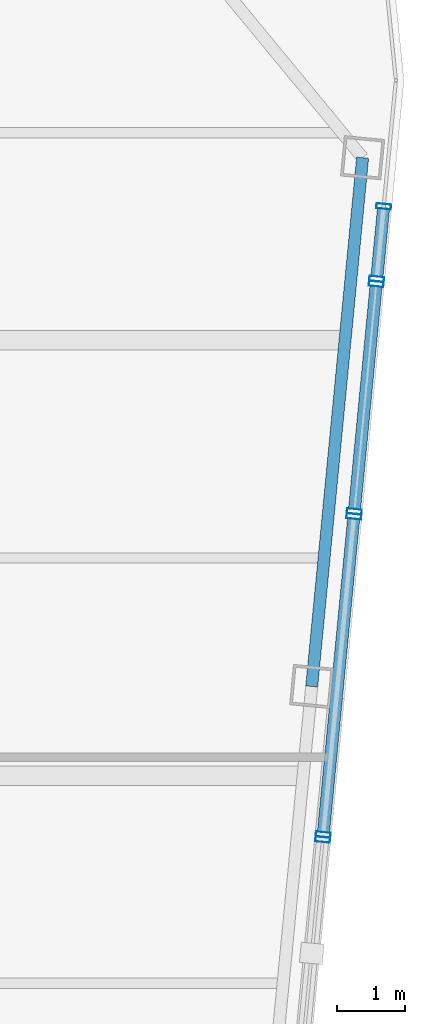
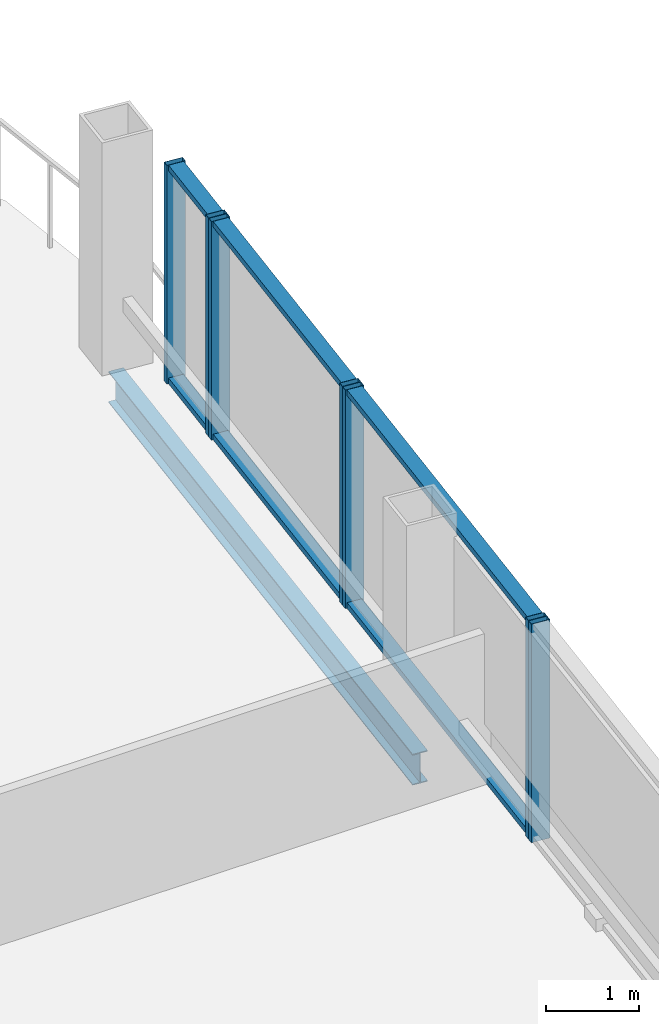
# One storey, part 15 of 27: 13 members, 1 beam, 4 elements without a shape of their own.
"""IFC4 building model written with IfcOpenShell, lengths in metres."""

from ifc_helpers import new_model, si_unit, direction, frame, origin, origin_2d, place, context, subcontext, project, spatial, hollow_rectangle, i_section, extrude, material, layer, layer_set, material_profile, profile_set, type_object, element, aggregate, save


model = new_model("IFC4")

# Units and contexts
model_context = context("Model", 3, precision=1e-05, world=origin(), true_north=direction((0.0, 1.0)))
body_context = subcontext(model_context, "Body", "Model", "MODEL_VIEW")
ifc_project = project(units=[si_unit("LENGTHUNIT", "METRE"), si_unit("AREAUNIT", "SQUARE_METRE"), si_unit("VOLUMEUNIT", "CUBIC_METRE"), si_unit("PLANEANGLEUNIT", "RADIAN"), si_unit("MASSUNIT", "GRAM", prefix="KILO")], contexts=[model_context])

# Site, building, storey
site_placement = place(None, origin())
site = spatial("IfcSite", under=ifc_project, at=site_placement, CompositionType="ELEMENT")
building_placement = place(site_placement, origin())
building = spatial("IfcBuilding", under=site, at=building_placement, Name="Qhalaya Broadcast Tower", CompositionType="ELEMENT")
storey_placement = place(building_placement, frame((0.0, 0.0, 258.10009765625)))
storey = spatial("IfcBuildingStorey", under=building, at=storey_placement, Name="L76", CompositionType="ELEMENT", Elevation=258.10009765625)

# Curtain wall, member
ifc_material_1 = material(Name="Solar-Control Low-E Triple Glazing", Category="glass")
ifc_layer_1 = layer(ifc_material_1, 0.219970703125, Name="Solar-Control Low-E Triple Glazing")
ifc_layer_set_1 = layer_set([ifc_layer_1], Name="Solar-Control Low-E Triple Glazing")
curtain_wall_type_1 = type_object("IfcCurtainWallType", Name="High-Altitude Upper-Shaft Triple Low-E Curtain Wall CW-04", PredefinedType="NOTDEFINED", material=ifc_layer_set_1)
curtain_wall_1_placement = place(storey_placement, origin())
curtain_wall_1 = element("IfcCurtainWall", 1, at=curtain_wall_1_placement, inside=storey, type_object=curtain_wall_type_1, Name="L76 Unitised Curtain Wall L76-CW-E4", PredefinedType="NOTDEFINED")
ifc_material_2 = material(Name="Anodised Aluminium 6063-T6", Category="aluminium")
ifc_material_profile_1 = material_profile(ifc_material_2, hollow_rectangle(XDim=0.074951171875, YDim=0.219970703125, WallThickness=0.00390625, at=origin_2d()), Name="ALU-MUL 75x220x4")
ifc_profile_set_1 = profile_set([ifc_material_profile_1], Name="Anodised Aluminium 6063-T6")
member_type_1 = type_object("IfcMemberType", Name="Unitised Curtain-Wall Mullion M01", PredefinedType="MULLION", material=ifc_profile_set_1)
member_1_placement = place(storey_placement, frame((21.499755859375, -3.570068359375, 0.0), z_axis=(0.0, 0.0, 1.0), x_axis=(0.095835284901, 0.995397206229, 0.0)))
member_1 = element("IfcMember", 2, at=member_1_placement, type_object=member_type_1, Name="CW-04 mullion 2", PredefinedType="MULLION", context=body_context, shape_type="SweptSolid", body=[
    extrude(hollow_rectangle(XDim=0.074951171875, YDim=0.219970703125, WallThickness=0.00390625, at=origin_2d()), origin(), (0.0, 0.0, 1.0), 2.85986328125),
])
aggregate(curtain_wall_1, [member_1])

# Curtain wall, members
ifc_material_3 = material(Name="Fired Architectural Terracotta", Category="masonry")
ifc_layer_2 = layer(ifc_material_3, 0.219970703125, Name="Fired Architectural Terracotta")
ifc_layer_set_2 = layer_set([ifc_layer_2], Name="Fired Architectural Terracotta")
curtain_wall_type_2 = type_object("IfcCurtainWallType", Name="Block-Cap Unitised Terracotta Spandrel Wall CW-07", PredefinedType="NOTDEFINED", material=ifc_layer_set_2)
curtain_wall_2_placement = place(storey_placement, origin())
curtain_wall_2 = element("IfcCurtainWall", 3, at=curtain_wall_2_placement, inside=storey, type_object=curtain_wall_type_2, Name="L76 Unitised Curtain Wall L76-CW-E5", PredefinedType="NOTDEFINED")
member_2_placement = place(storey_placement, frame((21.507080078125, -3.495361328125, 0.0), z_axis=(0.0, 0.0, 1.0), x_axis=(0.095860228044, 0.995394804427, 0.0)))
member_2 = element("IfcMember", 4, at=member_2_placement, type_object=member_type_1, Name="CW-07 mullion 1", PredefinedType="MULLION", context=body_context, shape_type="SweptSolid", body=[
    extrude(hollow_rectangle(XDim=0.074951171875, YDim=0.219970703125, WallThickness=0.00390625, at=origin_2d()), origin(), (0.0, 0.0, 1.0), 2.85986328125),
])
member_3_placement = place(storey_placement, frame((21.960693359375, 1.2158203125, 0.0), z_axis=(0.0, 0.0, 1.0), x_axis=(0.095860228044, 0.995394804427, 0.0)))
member_3 = element("IfcMember", 5, at=member_3_placement, type_object=member_type_1, Name="CW-07 mullion 2", PredefinedType="MULLION", context=body_context, shape_type="SweptSolid", body=[
    extrude(hollow_rectangle(XDim=0.074951171875, YDim=0.219970703125, WallThickness=0.00390625, at=origin_2d()), origin(), (0.0, 0.0, 1.0), 2.85986328125),
])

curtain_wall_3_placement = place(storey_placement, origin())
curtain_wall_3 = element("IfcCurtainWall", 6, at=curtain_wall_3_placement, inside=storey, type_object=curtain_wall_type_1, Name="L76 Unitised Curtain Wall L76-CW-E6", PredefinedType="NOTDEFINED")
member_4_placement = place(storey_placement, frame((21.9677734375, 1.29052734375, 0.0), z_axis=(0.0, 0.0, 1.0), x_axis=(0.095839108862, 0.995396838056, 0.0)))
member_4 = element("IfcMember", 7, at=member_4_placement, type_object=member_type_1, Name="CW-04 mullion 1", PredefinedType="MULLION", context=body_context, shape_type="SweptSolid", body=[
    extrude(hollow_rectangle(XDim=0.074951171875, YDim=0.219970703125, WallThickness=0.00390625, at=origin_2d()), origin(), (0.0, 0.0, 1.0), 2.85986328125),
])
member_5_placement = place(storey_placement, frame((22.292236328125, 4.658935546875, 0.0), z_axis=(0.0, 0.0, 1.0), x_axis=(0.095839108862, 0.995396838056, 0.0)))
member_5 = element("IfcMember", 8, at=member_5_placement, type_object=member_type_1, Name="CW-04 mullion 2", PredefinedType="MULLION", context=body_context, shape_type="SweptSolid", body=[
    extrude(hollow_rectangle(XDim=0.074951171875, YDim=0.219970703125, WallThickness=0.00390625, at=origin_2d()), origin(), (0.0, 0.0, 1.0), 2.85986328125),
])

curtain_wall_4_placement = place(storey_placement, origin())
curtain_wall_4 = element("IfcCurtainWall", 9, at=curtain_wall_4_placement, inside=storey, type_object=curtain_wall_type_2, Name="L76 Unitised Curtain Wall L76-CW-E7", PredefinedType="NOTDEFINED")
member_6_placement = place(storey_placement, frame((22.29931640625, 4.733642578125, 0.0), z_axis=(0.0, 0.0, 1.0), x_axis=(0.095839545253, 0.995396796039, 0.0)))
member_6 = element("IfcMember", 10, at=member_6_placement, type_object=member_type_1, Name="CW-07 mullion 1", PredefinedType="MULLION", context=body_context, shape_type="SweptSolid", body=[
    extrude(hollow_rectangle(XDim=0.074951171875, YDim=0.219970703125, WallThickness=0.00390625, at=origin_2d()), origin(), (0.0, 0.0, 1.0), 2.85986328125),
])
member_7_placement = place(storey_placement, frame((22.40283203125, 5.8076171875, 0.0), z_axis=(0.0, 0.0, 1.0), x_axis=(0.095839545253, 0.995396796039, 0.0)))
member_7 = element("IfcMember", 11, at=member_7_placement, type_object=member_type_1, Name="CW-07 mullion 2", PredefinedType="MULLION", context=body_context, shape_type="SweptSolid", body=[
    extrude(hollow_rectangle(XDim=0.074951171875, YDim=0.219970703125, WallThickness=0.00390625, at=origin_2d()), origin(), (0.0, 0.0, 1.0), 2.85986328125),
])

# Member
ifc_material_profile_2 = material_profile(ifc_material_2, hollow_rectangle(XDim=0.074951171875, YDim=0.179931640625, WallThickness=0.00390625, at=origin_2d()), Name="ALU-TRN 75x180x4")
ifc_profile_set_2 = profile_set([ifc_material_profile_2], Name="Anodised Aluminium 6063-T6")
member_type_2 = type_object("IfcMemberType", Name="Unitised Curtain-Wall Transom T01", PredefinedType="USERDEFINED", material=ifc_profile_set_2)
member_8_placement = place(storey_placement, frame((21.510498046875, -3.4580078125, 0.037353515625), z_axis=(0.095865210868, 0.995394324549, 0.0), x_axis=(0.0, 0.0, 1.0)))
member_8 = element("IfcMember", 12, at=member_8_placement, type_object=member_type_2, Name="CW-07 transom 1.1", ObjectType="TRANSOM", PredefinedType="USERDEFINED", context=body_context, shape_type="SweptSolid", body=[
    extrude(hollow_rectangle(XDim=0.074951171875, YDim=0.179931640625, WallThickness=0.00390625, at=origin_2d()), origin(), (0.0, 0.0, 1.0), 4.657958984375),
])

member_9_placement = place(storey_placement, frame((21.510498046875, -3.4580078125, 2.822509765625), z_axis=(0.095865210868, 0.995394324549, 0.0), x_axis=(0.0, 0.0, 1.0)))
member_9 = element("IfcMember", 13, at=member_9_placement, type_object=member_type_2, Name="CW-07 transom 1.2", ObjectType="TRANSOM", PredefinedType="USERDEFINED", context=body_context, shape_type="SweptSolid", body=[
    extrude(hollow_rectangle(XDim=0.074951171875, YDim=0.179931640625, WallThickness=0.00390625, at=origin_2d()), origin(), (0.0, 0.0, 1.0), 4.657958984375),
])

aggregate(curtain_wall_2, [member_2, member_3, member_8, member_9])

member_10_placement = place(storey_placement, frame((21.971435546875, 1.327880859375, 0.037353515625), z_axis=(0.095843153712, 0.995396448601, 0.0), x_axis=(0.0, 0.0, 1.0)))
member_10 = element("IfcMember", 14, at=member_10_placement, type_object=member_type_2, Name="CW-04 transom 1.1", ObjectType="TRANSOM", PredefinedType="USERDEFINED", context=body_context, shape_type="SweptSolid", body=[
    extrude(hollow_rectangle(XDim=0.074951171875, YDim=0.179931640625, WallThickness=0.00390625, at=origin_2d()), origin(), (0.0, 0.0, 1.0), 3.308837890625),
])

member_11_placement = place(storey_placement, frame((21.971435546875, 1.327880859375, 2.822509765625), z_axis=(0.095843153712, 0.995396448601, 0.0), x_axis=(0.0, 0.0, 1.0)))
member_11 = element("IfcMember", 15, at=member_11_placement, type_object=member_type_2, Name="CW-04 transom 1.2", ObjectType="TRANSOM", PredefinedType="USERDEFINED", context=body_context, shape_type="SweptSolid", body=[
    extrude(hollow_rectangle(XDim=0.074951171875, YDim=0.179931640625, WallThickness=0.00390625, at=origin_2d()), origin(), (0.0, 0.0, 1.0), 3.308837890625),
])

aggregate(curtain_wall_3, [member_4, member_5, member_10, member_11])

member_12_placement = place(storey_placement, frame((22.302978515625, 4.770751953125, 0.037353515625), z_axis=(0.095795797955, 0.99540100718, 0.0), x_axis=(0.0, 0.0, 1.0)))
member_12 = element("IfcMember", 16, at=member_12_placement, type_object=member_type_2, Name="CW-07 transom 1.1", ObjectType="TRANSOM", PredefinedType="USERDEFINED", context=body_context, shape_type="SweptSolid", body=[
    extrude(hollow_rectangle(XDim=0.074951171875, YDim=0.179931640625, WallThickness=0.00390625, at=origin_2d()), origin(), (0.0, 0.0, 1.0), 1.004150390625),
])

member_13_placement = place(storey_placement, frame((22.302978515625, 4.770751953125, 2.822509765625), z_axis=(0.095795797955, 0.99540100718, 0.0), x_axis=(0.0, 0.0, 1.0)))
member_13 = element("IfcMember", 17, at=member_13_placement, type_object=member_type_2, Name="CW-07 transom 1.2", ObjectType="TRANSOM", PredefinedType="USERDEFINED", context=body_context, shape_type="SweptSolid", body=[
    extrude(hollow_rectangle(XDim=0.074951171875, YDim=0.179931640625, WallThickness=0.00390625, at=origin_2d()), origin(), (0.0, 0.0, 1.0), 1.004150390625),
])

aggregate(curtain_wall_4, [member_6, member_7, member_12, member_13])

# Beam
ifc_material_4 = material(Name="Structural Steel ASTM A992 Grade 50", Category="steel")
ifc_material_profile_3 = material_profile(ifc_material_4, i_section(OverallWidth=0.177978515625, OverallDepth=0.406005859375, WebThickness=0.0078125, FlangeThickness=0.0126953125, at=origin_2d()), Name="W16X40")
ifc_profile_set_3 = profile_set([ifc_material_profile_3], Name="Structural Steel ASTM A992 Grade 50")
beam_type = type_object("IfcBeamType", Name="Upper Perimeter Spandrel Beam SP2", PredefinedType="SPANDREL", material=ifc_profile_set_3)
beam_placement = place(storey_placement, frame((21.33642578125, -1.302001953125, -0.39306640625), z_axis=(0.095837184179, 0.995397023367, 0.0), x_axis=(-0.995397023367, 0.095837184179, 0.0)))
element("IfcBeam", 18, at=beam_placement, inside=storey, type_object=beam_type, Name="L76 SP2 L76-SPR-07", PredefinedType="SPANDREL", context=body_context, shape_type="SweptSolid", body=[
    extrude(i_section(OverallWidth=0.177978515625, OverallDepth=0.406005859375, WebThickness=0.0078125, FlangeThickness=0.0126953125, at=origin_2d()), origin(), (0.0, 0.0, 1.0), 7.866455078125),
])

save(model, "model.ifc")
